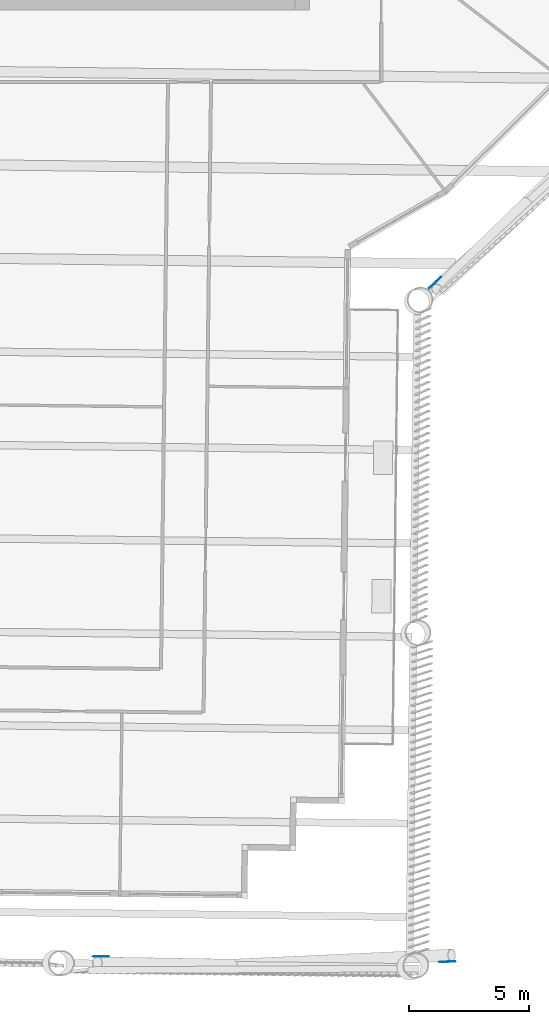
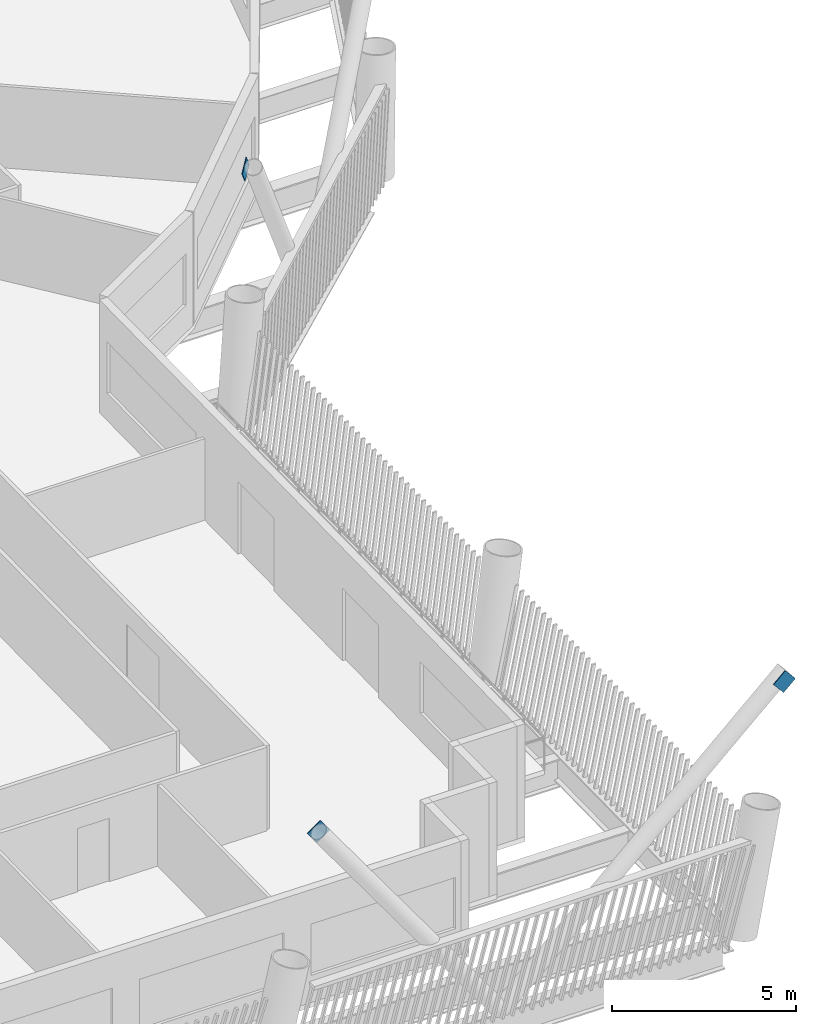
# One storey, part 10 of 21: 3 discrete accessories.
"""IFC4 building model written with IfcOpenShell, lengths in metres."""

from ifc_helpers import new_model, si_unit, direction, frame, origin, origin_2d, place, context, subcontext, project, spatial, rectangle, extrude, material, material_profile, profile_set, type_object, element, save


model = new_model("IFC4")

# Units and contexts
model_context = context("Model", 3, precision=1e-05, world=origin(), true_north=direction((0.0, 1.0)))
body_context = subcontext(model_context, "Body", "Model", "MODEL_VIEW")
ifc_project = project(units=[si_unit("LENGTHUNIT", "METRE"), si_unit("AREAUNIT", "SQUARE_METRE"), si_unit("VOLUMEUNIT", "CUBIC_METRE"), si_unit("PLANEANGLEUNIT", "RADIAN"), si_unit("MASSUNIT", "GRAM", prefix="KILO")], contexts=[model_context])

# Site, building, storey
site_placement = place(None, origin())
site = spatial("IfcSite", under=ifc_project, at=site_placement, CompositionType="ELEMENT")
building_placement = place(site_placement, origin())
building = spatial("IfcBuilding", under=site, at=building_placement, Name="Tarsis Ring Headquarters", CompositionType="ELEMENT")
storey_placement = place(building_placement, frame((0.0, 0.0, 223.800048828125)))
storey = spatial("IfcBuildingStorey", under=building, at=storey_placement, Name="L52", CompositionType="ELEMENT", Elevation=223.800048828125)

# Discrete accessories
ifc_material = material(Name="Structural steel S355", Category="steel")
ifc_material_profile = material_profile(ifc_material, rectangle(XDim=0.02490234375, YDim=0.5, at=origin_2d()), Name="PL 25x500")
ifc_profile_set = profile_set([ifc_material_profile], Name="Structural steel S355")
discrete_accessory_type = type_object("IfcDiscreteAccessoryType", Name="Gusset plate Exo brace 25", PredefinedType="BRACKET", material=ifc_profile_set)
for number, where, z_axis, x_axis, name in (
    (1, (15.951171875, -52.733642578125, 7.800048828125), (-0.76083016967, -0.034671978207, -0.648024156067), (0.045523998985, -0.998963245328, 0.0), "Gusset plate GP5"),
    (2, (1.147216796875, -52.521240234375, 7.800048828125), (0.584945527165, -0.009765367732, -0.811013790168), (0.016692164877, 0.99986067611, 0.0), "Gusset plate GP5"),
    (3, (15.151611328125, -24.478271484375, 7.800048828125), (0.396006149099, 0.385263688827, -0.833517258338), (-0.697318147704, 0.716761746246, 0.0), "Gusset plate GP5"),
):
    element("IfcDiscreteAccessory", number, at=place(storey_placement, frame(where, z_axis=z_axis, x_axis=x_axis)), inside=storey, type_object=discrete_accessory_type, Name=name, PredefinedType="BRACKET", context=body_context, shape_type="SweptSolid", body=[
        extrude(rectangle(XDim=0.02490234375, YDim=0.5, at=origin_2d()), origin(), (0.0, 0.0, 1.0), 0.5),
    ])

save(model, "model.ifc")
